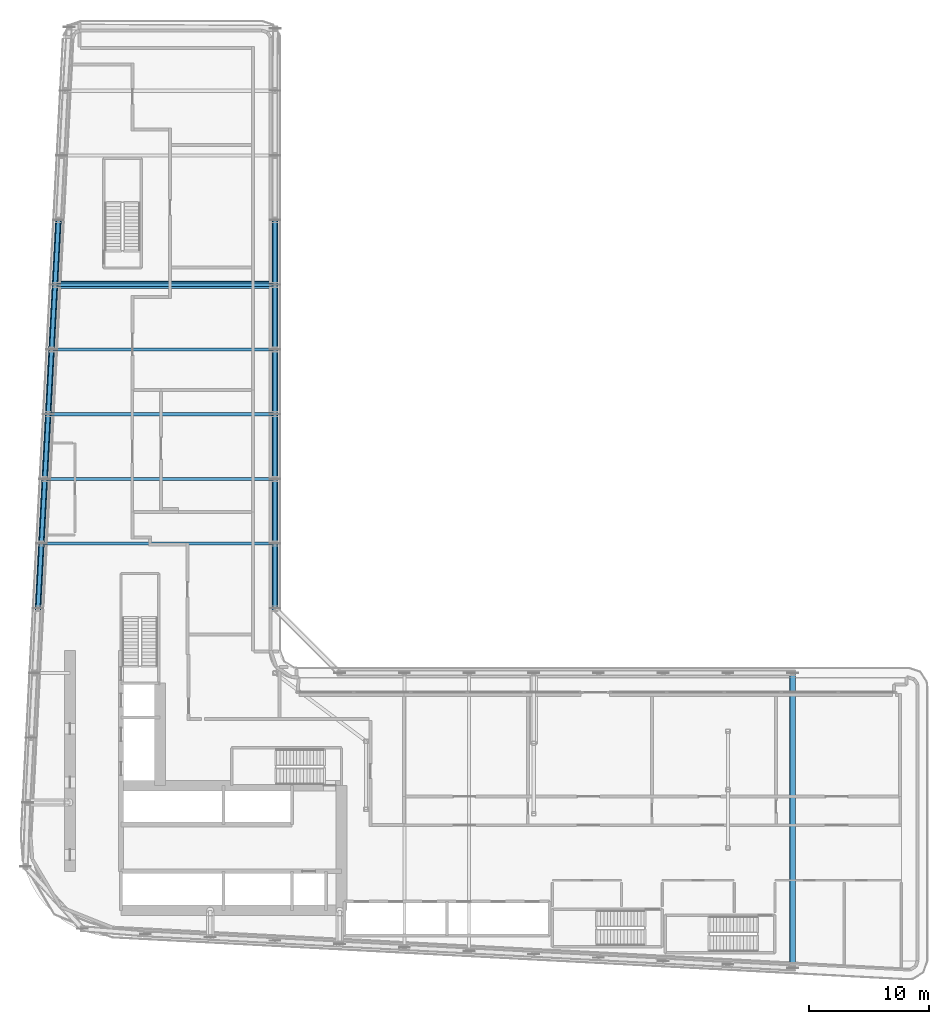
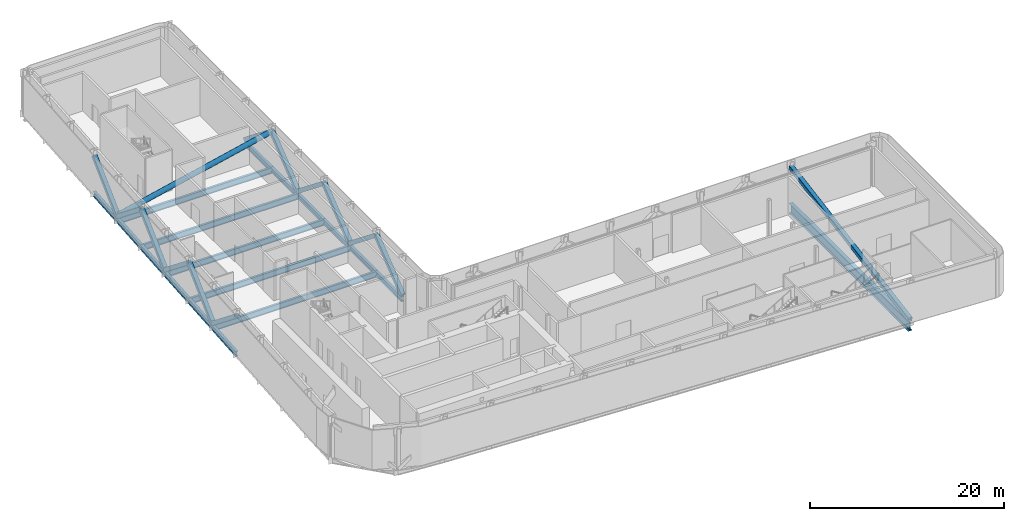
# One storey, part 9 of 30: 18 beams, 14 members.
"""IFC4 building model written with IfcOpenShell, lengths in metres."""

from ifc_helpers import new_model, si_unit, direction, frame, origin, origin_2d, place, context, subcontext, project, spatial, hollow_rectangle, hollow_circle, i_section, extrude, material, material_profile, profile_set, type_object, element, save


model = new_model("IFC4")

# Units and contexts
model_context = context("Model", 3, precision=1e-05, world=origin(), true_north=direction((0.0, 1.0)))
body_context = subcontext(model_context, "Body", "Model", "MODEL_VIEW")
ifc_project = project(units=[si_unit("LENGTHUNIT", "METRE"), si_unit("AREAUNIT", "SQUARE_METRE"), si_unit("VOLUMEUNIT", "CUBIC_METRE"), si_unit("PLANEANGLEUNIT", "RADIAN"), si_unit("MASSUNIT", "GRAM", prefix="KILO")], contexts=[model_context])

# Site, building, storey
site_placement = place(None, origin())
site = spatial("IfcSite", under=ifc_project, at=site_placement, CompositionType="ELEMENT")
building_placement = place(site_placement, origin())
building = spatial("IfcBuilding", under=site, at=building_placement, Name="Kheshtan School and Residences Tower", CompositionType="ELEMENT")
storey_placement = place(building_placement, frame((0.0, 0.0, 89.0)))
storey = spatial("IfcBuildingStorey", under=building, at=storey_placement, Name="L20", CompositionType="ELEMENT", Elevation=89.0)

# Beams
ifc_material_1 = material(Name="Steel ASTM A992 Grade 50", Category="steel")
ifc_material_profile_1 = material_profile(ifc_material_1, i_section(OverallWidth=0.264892578125, OverallDepth=0.7529296875, WebThickness=0.01318359375, FlangeThickness=0.01708984375, FilletRadius=0.015380859375, at=origin_2d()), Name="W760x147")
ifc_profile_set_1 = profile_set([ifc_material_profile_1], Name="Steel ASTM A992 Grade 50")
beam_type_1 = type_object("IfcBeamType", Name="Beam FB7 W760x147 ASTM A992 Grade 50", PredefinedType="BEAM", material=ifc_profile_set_1)
beam_1_placement = place(storey_placement, frame((47.60009765625, 72.60009765625, -0.526611328125), z_axis=(-1.0, 0.0, 0.0), x_axis=(0.0, -1.0, 0.0)))
element("IfcBeam", 1, at=beam_1_placement, inside=storey, type_object=beam_type_1, Name="Floor beam C087", PredefinedType="BEAM", context=body_context, shape_type="SweptSolid", body=[
    extrude(i_section(OverallWidth=0.264892578125, OverallDepth=0.7529296875, WebThickness=0.01318359375, FlangeThickness=0.01708984375, FilletRadius=0.015380859375, at=origin_2d()), origin(), (0.0, 0.0, 1.0), 18.64208984375),
])
beam_2_placement = place(storey_placement, frame((47.60009765625, 61.800048828125, -0.526611328125), z_axis=(-1.0, 0.0, 0.0), x_axis=(0.0, -1.0, 0.0)))
element("IfcBeam", 2, at=beam_2_placement, inside=storey, type_object=beam_type_1, Name="Floor beam C083", PredefinedType="BEAM", context=body_context, shape_type="SweptSolid", body=[
    extrude(i_section(OverallWidth=0.264892578125, OverallDepth=0.7529296875, WebThickness=0.01318359375, FlangeThickness=0.01708984375, FilletRadius=0.015380859375, at=origin_2d()), origin(), (0.0, 0.0, 1.0), 19.210205078125),
])
beam_3_placement = place(storey_placement, frame((28.10595703125, 56.39990234375, -0.526611328125), z_axis=(1.0, 0.0, 0.0), x_axis=(0.0, 1.0, 0.0)))
element("IfcBeam", 3, at=beam_3_placement, inside=storey, type_object=beam_type_1, Name="Floor beam C080", PredefinedType="BEAM", context=body_context, shape_type="SweptSolid", body=[
    extrude(i_section(OverallWidth=0.264892578125, OverallDepth=0.7529296875, WebThickness=0.01318359375, FlangeThickness=0.01708984375, FilletRadius=0.015380859375, at=origin_2d()), origin(), (0.0, 0.0, 1.0), 19.494140625),
])
beam_4_placement = place(storey_placement, frame((28.674072265625, 67.199951171875, -0.526611328125), z_axis=(1.0, 0.0, 0.0), x_axis=(0.0, 1.0, 0.0)))
element("IfcBeam", 4, at=beam_4_placement, inside=storey, type_object=beam_type_1, Name="Floor beam C084", PredefinedType="BEAM", context=body_context, shape_type="SweptSolid", body=[
    extrude(i_section(OverallWidth=0.264892578125, OverallDepth=0.7529296875, WebThickness=0.01318359375, FlangeThickness=0.01708984375, FilletRadius=0.015380859375, at=origin_2d()), origin(), (0.0, 0.0, 1.0), 18.926025390625),
])
beam_5_placement = place(storey_placement, frame((29.242919921875, 78.0, -0.526611328125), z_axis=(1.0, 0.0, 0.0), x_axis=(0.0, 1.0, 0.0)))
element("IfcBeam", 5, at=beam_5_placement, inside=storey, type_object=beam_type_1, Name="Floor beam C088", PredefinedType="BEAM", context=body_context, shape_type="SweptSolid", body=[
    extrude(i_section(OverallWidth=0.264892578125, OverallDepth=0.7529296875, WebThickness=0.01318359375, FlangeThickness=0.01708984375, FilletRadius=0.015380859375, at=origin_2d()), origin(), (0.0, 0.0, 1.0), 18.357177734375),
])
ifc_material_profile_2 = material_profile(ifc_material_1, i_section(OverallWidth=0.324951171875, OverallDepth=0.615966796875, WebThickness=0.013916015625, FlangeThickness=0.021484375, FilletRadius=0.0185546875, at=origin_2d()), Name="W610x174")
ifc_profile_set_2 = profile_set([ifc_material_profile_2], Name="Steel ASTM A992 Grade 50")
beam_type_2 = type_object("IfcBeamType", Name="Beam SP5 W610x174 ASTM A992 Grade 50", PredefinedType="BEAM", material=ifc_profile_set_2)
for number, where, z_axis, x_axis, name in (
    (6, (47.60009765625, 83.39990234375, -0.4580078125), (0.0, -1.0, 0.0), (1.0, 0.0, 0.0), "Spandrel beam C091-C089"),
    (7, (47.60009765625, 78.0, -0.4580078125), (0.0, -1.0, 0.0), (1.0, 0.0, 0.0), "Spandrel beam C089-C087"),
):
    element("IfcBeam", number, at=place(storey_placement, frame(where, z_axis=z_axis, x_axis=x_axis)), inside=storey, type_object=beam_type_2, Name=name, PredefinedType="BEAM", context=body_context, shape_type="SweptSolid", body=[
        extrude(i_section(OverallWidth=0.324951171875, OverallDepth=0.615966796875, WebThickness=0.013916015625, FlangeThickness=0.021484375, FilletRadius=0.0185546875, at=origin_2d()), origin(), (0.0, 0.0, 1.0), 5.39990234375),
    ])
beam_6_placement = place(storey_placement, frame((47.60009765625, 72.60009765625, -0.4580078125), z_axis=(0.0, -1.0, 0.0), x_axis=(1.0, 0.0, 0.0)))
element("IfcBeam", 8, at=beam_6_placement, inside=storey, type_object=beam_type_2, Name="Spandrel beam C087-C085", PredefinedType="BEAM", context=body_context, shape_type="SweptSolid", body=[
    extrude(i_section(OverallWidth=0.324951171875, OverallDepth=0.615966796875, WebThickness=0.013916015625, FlangeThickness=0.021484375, FilletRadius=0.0185546875, at=origin_2d()), origin(), (0.0, 0.0, 1.0), 5.400146484375),
])
beam_7_placement = place(storey_placement, frame((47.60009765625, 67.199951171875, -0.4580078125), z_axis=(0.0, -1.0, 0.0), x_axis=(1.0, 0.0, 0.0)))
element("IfcBeam", 9, at=beam_7_placement, inside=storey, type_object=beam_type_2, Name="Spandrel beam C085-C083", PredefinedType="BEAM", context=body_context, shape_type="SweptSolid", body=[
    extrude(i_section(OverallWidth=0.324951171875, OverallDepth=0.615966796875, WebThickness=0.013916015625, FlangeThickness=0.021484375, FilletRadius=0.0185546875, at=origin_2d()), origin(), (0.0, 0.0, 1.0), 5.39990234375),
])
beam_8_placement = place(storey_placement, frame((47.60009765625, 61.800048828125, -0.4580078125), z_axis=(0.0, -1.0, 0.0), x_axis=(1.0, 0.0, 0.0)))
element("IfcBeam", 10, at=beam_8_placement, inside=storey, type_object=beam_type_2, Name="Spandrel beam C083-C081", PredefinedType="BEAM", context=body_context, shape_type="SweptSolid", body=[
    extrude(i_section(OverallWidth=0.324951171875, OverallDepth=0.615966796875, WebThickness=0.013916015625, FlangeThickness=0.021484375, FilletRadius=0.0185546875, at=origin_2d()), origin(), (0.0, 0.0, 1.0), 5.400146484375),
])
beam_9_placement = place(storey_placement, frame((47.60009765625, 56.39990234375, -0.4580078125), z_axis=(0.0, -1.0, 0.0), x_axis=(1.0, 0.0, 0.0)))
element("IfcBeam", 11, at=beam_9_placement, inside=storey, type_object=beam_type_2, Name="Spandrel beam C081-C079", PredefinedType="BEAM", context=body_context, shape_type="SweptSolid", body=[
    extrude(i_section(OverallWidth=0.324951171875, OverallDepth=0.615966796875, WebThickness=0.013916015625, FlangeThickness=0.021484375, FilletRadius=0.0185546875, at=origin_2d()), origin(), (0.0, 0.0, 1.0), 5.39990234375),
])
beam_10_placement = place(storey_placement, frame((27.822021484375, 51.0, -0.4580078125), z_axis=(0.05250906864, 0.998620447272, 0.0), x_axis=(-0.998620447272, 0.05250906864, 0.0)))
element("IfcBeam", 12, at=beam_10_placement, inside=storey, type_object=beam_type_2, Name="Spandrel beam C078-C080", PredefinedType="BEAM", context=body_context, shape_type="SweptSolid", body=[
    extrude(i_section(OverallWidth=0.324951171875, OverallDepth=0.615966796875, WebThickness=0.013916015625, FlangeThickness=0.021484375, FilletRadius=0.0185546875, at=origin_2d()), origin(), (0.0, 0.0, 1.0), 5.407470703125),
])
beam_11_placement = place(storey_placement, frame((28.10595703125, 56.39990234375, -0.4580078125), z_axis=(0.05250670125, 0.998620571751, 0.0), x_axis=(-0.998620571751, 0.05250670125, 0.0)))
element("IfcBeam", 13, at=beam_11_placement, inside=storey, type_object=beam_type_2, Name="Spandrel beam C080-C082", PredefinedType="BEAM", context=body_context, shape_type="SweptSolid", body=[
    extrude(i_section(OverallWidth=0.324951171875, OverallDepth=0.615966796875, WebThickness=0.013916015625, FlangeThickness=0.021484375, FilletRadius=0.0185546875, at=origin_2d()), origin(), (0.0, 0.0, 1.0), 5.40771484375),
])
beam_12_placement = place(storey_placement, frame((28.389892578125, 61.800048828125, -0.4580078125), z_axis=(0.052554093665, 0.998618078766, 0.0), x_axis=(-0.998618078766, 0.052554093665, 0.0)))
element("IfcBeam", 14, at=beam_12_placement, inside=storey, type_object=beam_type_2, Name="Spandrel beam C082-C084", PredefinedType="BEAM", context=body_context, shape_type="SweptSolid", body=[
    extrude(i_section(OverallWidth=0.324951171875, OverallDepth=0.615966796875, WebThickness=0.013916015625, FlangeThickness=0.021484375, FilletRadius=0.0185546875, at=origin_2d()), origin(), (0.0, 0.0, 1.0), 5.407470703125),
])
beam_13_placement = place(storey_placement, frame((28.674072265625, 67.199951171875, -0.4580078125), z_axis=(0.05250670125, 0.998620571751, 0.0), x_axis=(-0.998620571751, 0.05250670125, 0.0)))
element("IfcBeam", 15, at=beam_13_placement, inside=storey, type_object=beam_type_2, Name="Spandrel beam C084-C086", PredefinedType="BEAM", context=body_context, shape_type="SweptSolid", body=[
    extrude(i_section(OverallWidth=0.324951171875, OverallDepth=0.615966796875, WebThickness=0.013916015625, FlangeThickness=0.021484375, FilletRadius=0.0185546875, at=origin_2d()), origin(), (0.0, 0.0, 1.0), 5.40771484375),
])
for number, where, z_axis, x_axis, name in (
    (16, (28.9580078125, 72.60009765625, -0.4580078125), (0.052689166816, 0.998610961136, 0.0), (-0.998610961136, 0.052689166816, 0.0), "Spandrel beam C086-C088"),
    (17, (29.242919921875, 78.0, -0.4580078125), (0.052554093665, 0.998618078766, 0.0), (-0.998618078766, 0.052554093665, 0.0), "Spandrel beam C088-C090"),
):
    element("IfcBeam", number, at=place(storey_placement, frame(where, z_axis=z_axis, x_axis=x_axis)), inside=storey, type_object=beam_type_2, Name=name, PredefinedType="BEAM", context=body_context, shape_type="SweptSolid", body=[
        extrude(i_section(OverallWidth=0.324951171875, OverallDepth=0.615966796875, WebThickness=0.013916015625, FlangeThickness=0.021484375, FilletRadius=0.0185546875, at=origin_2d()), origin(), (0.0, 0.0, 1.0), 5.407470703125),
    ])

# Members
ifc_material_2 = material(Name="Steel ASTM A500 Grade C", Category="steel")
ifc_material_profile_3 = material_profile(ifc_material_2, hollow_rectangle(XDim=0.508056640625, YDim=0.508056640625, WallThickness=0.01904296875, InnerFilletRadius=0.01904296875, OuterFilletRadius=0.0380859375, at=origin_2d()), Name="HSS 508x508x19")
ifc_profile_set_3 = profile_set([ifc_material_profile_3], Name="Steel ASTM A500 Grade C")
member_type_1 = type_object("IfcMemberType", Name="Member BT2 HSS 508x508x19 ASTM A500 Grade C", PredefinedType="BRACE", material=ifc_profile_set_3)
for number, where, z_axis, x_axis, name in (
    (18, (47.60009765625, 83.39990234375, 0.050048828125), (0.0, -0.782495277586, 0.622656518922), (1.0, 0.0, 0.0), "Belt truss diagonal C091-C089"),
    (19, (47.60009765625, 72.60009765625, 0.050048828125), (0.0, 0.782495277586, 0.622656518922), (-1.0, 0.0, 0.0), "Belt truss diagonal C089-C087"),
):
    element("IfcMember", number, at=place(storey_placement, frame(where, z_axis=z_axis, x_axis=x_axis)), inside=storey, type_object=member_type_1, Name=name, PredefinedType="BRACE", context=body_context, shape_type="SweptSolid", body=[
        extrude(hollow_rectangle(XDim=0.508056640625, YDim=0.508056640625, WallThickness=0.01904296875, InnerFilletRadius=0.01904296875, OuterFilletRadius=0.0380859375, at=origin_2d()), origin(), (0.0, 0.0, 1.0), 6.90087890625),
    ])
member_1_placement = place(storey_placement, frame((47.60009765625, 72.60009765625, 0.050048828125), z_axis=(0.0, -0.782508993189, 0.622639282071), x_axis=(1.0, 0.0, 0.0)))
element("IfcMember", 20, at=member_1_placement, inside=storey, type_object=member_type_1, Name="Belt truss diagonal C087-C085", PredefinedType="BRACE", context=body_context, shape_type="SweptSolid", body=[
    extrude(hollow_rectangle(XDim=0.508056640625, YDim=0.508056640625, WallThickness=0.01904296875, InnerFilletRadius=0.01904296875, OuterFilletRadius=0.0380859375, at=origin_2d()), origin(), (0.0, 0.0, 1.0), 6.901123046875),
])
member_2_placement = place(storey_placement, frame((47.60009765625, 61.800048828125, 0.050048828125), z_axis=(0.0, 0.782495277586, 0.622656518922), x_axis=(-1.0, 0.0, 0.0)))
element("IfcMember", 21, at=member_2_placement, inside=storey, type_object=member_type_1, Name="Belt truss diagonal C085-C083", PredefinedType="BRACE", context=body_context, shape_type="SweptSolid", body=[
    extrude(hollow_rectangle(XDim=0.508056640625, YDim=0.508056640625, WallThickness=0.01904296875, InnerFilletRadius=0.01904296875, OuterFilletRadius=0.0380859375, at=origin_2d()), origin(), (0.0, 0.0, 1.0), 6.90087890625),
])
member_3_placement = place(storey_placement, frame((47.60009765625, 61.800048828125, 0.050048828125), z_axis=(0.0, -0.782508993189, 0.622639282071), x_axis=(1.0, 0.0, 0.0)))
element("IfcMember", 22, at=member_3_placement, inside=storey, type_object=member_type_1, Name="Belt truss diagonal C083-C081", PredefinedType="BRACE", context=body_context, shape_type="SweptSolid", body=[
    extrude(hollow_rectangle(XDim=0.508056640625, YDim=0.508056640625, WallThickness=0.01904296875, InnerFilletRadius=0.01904296875, OuterFilletRadius=0.0380859375, at=origin_2d()), origin(), (0.0, 0.0, 1.0), 6.901123046875),
])
member_4_placement = place(storey_placement, frame((47.60009765625, 51.0, 0.050048828125), z_axis=(0.0, 0.782495277586, 0.622656518922), x_axis=(-1.0, 0.0, 0.0)))
element("IfcMember", 23, at=member_4_placement, inside=storey, type_object=member_type_1, Name="Belt truss diagonal C081-C079", PredefinedType="BRACE", context=body_context, shape_type="SweptSolid", body=[
    extrude(hollow_rectangle(XDim=0.508056640625, YDim=0.508056640625, WallThickness=0.01904296875, InnerFilletRadius=0.01904296875, OuterFilletRadius=0.0380859375, at=origin_2d()), origin(), (0.0, 0.0, 1.0), 6.90087890625),
])
member_5_placement = place(storey_placement, frame((90.800048828125, 20.989990234375, 0.050048828125), z_axis=(0.0, 0.985097638168, 0.171996055988), x_axis=(-1.0, 0.0, 0.0)))
element("IfcMember", 24, at=member_5_placement, inside=storey, type_object=member_type_1, Name="Belt truss diagonal C068-C006", PredefinedType="BRACE", context=body_context, shape_type="SweptSolid", body=[
    extrude(hollow_rectangle(XDim=0.508056640625, YDim=0.508056640625, WallThickness=0.01904296875, InnerFilletRadius=0.01904296875, OuterFilletRadius=0.0380859375, at=origin_2d()), origin(), (0.0, 0.0, 1.0), 24.982421875),
])
member_6_placement = place(storey_placement, frame((28.10595703125, 56.39990234375, 0.050048828125), z_axis=(-0.041110076845, -0.781833774436, 0.622130139708), x_axis=(0.998620447272, -0.05250906864, 0.0)))
element("IfcMember", 25, at=member_6_placement, inside=storey, type_object=member_type_1, Name="Belt truss diagonal C078-C080", PredefinedType="BRACE", context=body_context, shape_type="SweptSolid", body=[
    extrude(hollow_rectangle(XDim=0.508056640625, YDim=0.508056640625, WallThickness=0.01904296875, InnerFilletRadius=0.01904296875, OuterFilletRadius=0.0380859375, at=origin_2d()), origin(), (0.0, 0.0, 1.0), 6.90673828125),
])
member_7_placement = place(storey_placement, frame((28.10595703125, 56.39990234375, 0.050048828125), z_axis=(0.041108940728, 0.781847515022, 0.622112946534), x_axis=(-0.998620571751, 0.05250670125, 0.0)))
element("IfcMember", 26, at=member_7_placement, inside=storey, type_object=member_type_1, Name="Belt truss diagonal C080-C082", PredefinedType="BRACE", context=body_context, shape_type="SweptSolid", body=[
    extrude(hollow_rectangle(XDim=0.508056640625, YDim=0.508056640625, WallThickness=0.01904296875, InnerFilletRadius=0.01904296875, OuterFilletRadius=0.0380859375, at=origin_2d()), origin(), (0.0, 0.0, 1.0), 6.906982421875),
])
member_8_placement = place(storey_placement, frame((28.674072265625, 67.199951171875, 0.050048828125), z_axis=(-0.041145365332, -0.781832637811, 0.62212923526), x_axis=(0.998618078766, -0.052554093665, 0.0)))
element("IfcMember", 27, at=member_8_placement, inside=storey, type_object=member_type_1, Name="Belt truss diagonal C082-C084", PredefinedType="BRACE", context=body_context, shape_type="SweptSolid", body=[
    extrude(hollow_rectangle(XDim=0.508056640625, YDim=0.508056640625, WallThickness=0.01904296875, InnerFilletRadius=0.01904296875, OuterFilletRadius=0.0380859375, at=origin_2d()), origin(), (0.0, 0.0, 1.0), 6.90673828125),
])
member_9_placement = place(storey_placement, frame((28.674072265625, 67.199951171875, 0.050048828125), z_axis=(0.041108940728, 0.781847515022, 0.622112946534), x_axis=(-0.998620571751, 0.05250670125, 0.0)))
element("IfcMember", 28, at=member_9_placement, inside=storey, type_object=member_type_1, Name="Belt truss diagonal C084-C086", PredefinedType="BRACE", context=body_context, shape_type="SweptSolid", body=[
    extrude(hollow_rectangle(XDim=0.508056640625, YDim=0.508056640625, WallThickness=0.01904296875, InnerFilletRadius=0.01904296875, OuterFilletRadius=0.0380859375, at=origin_2d()), origin(), (0.0, 0.0, 1.0), 6.906982421875),
])
for number, where, z_axis, x_axis, name in (
    (29, (29.242919921875, 78.0, 0.050048828125), (-0.041251229867, -0.781829222106, 0.622126517274), (0.998610961136, -0.052689166816, 0.0), "Belt truss diagonal C086-C088"),
    (30, (29.242919921875, 78.0, 0.050048828125), (0.041145365332, 0.781832637811, 0.62212923526), (-0.998618078766, 0.052554093665, 0.0), "Belt truss diagonal C088-C090"),
):
    element("IfcMember", number, at=place(storey_placement, frame(where, z_axis=z_axis, x_axis=x_axis)), inside=storey, type_object=member_type_1, Name=name, PredefinedType="BRACE", context=body_context, shape_type="SweptSolid", body=[
        extrude(hollow_rectangle(XDim=0.508056640625, YDim=0.508056640625, WallThickness=0.01904296875, InnerFilletRadius=0.01904296875, OuterFilletRadius=0.0380859375, at=origin_2d()), origin(), (0.0, 0.0, 1.0), 6.90673828125),
    ])
ifc_material_profile_4 = material_profile(ifc_material_2, hollow_circle(Radius=0.3046875, WallThickness=0.01904296875, at=origin_2d()), Name="HSS 610x19")
ifc_profile_set_4 = profile_set([ifc_material_profile_4], Name="Steel ASTM A500 Grade C")
member_type_2 = type_object("IfcMemberType", Name="Member OR1 HSS 610x19 ASTM A500 Grade C", PredefinedType="BRACE", material=ifc_profile_set_4)
member_10_placement = place(storey_placement, frame((29.242919921875, 78.0, 0.199951171875), z_axis=(0.97542040867, 0.0, 0.220352050933), x_axis=(0.0, 1.0, 0.0)))
element("IfcMember", 31, at=member_10_placement, inside=storey, type_object=member_type_2, Name="Outrigger arm 4", PredefinedType="BRACE", context=body_context, shape_type="SweptSolid", body=[
    extrude(hollow_circle(Radius=0.3046875, WallThickness=0.01904296875, at=origin_2d()), origin(), (0.0, 0.0, 1.0), 18.81982421875),
])

# Beam
ifc_material_profile_5 = material_profile(ifc_material_1, i_section(OverallWidth=0.449951171875, OverallDepth=1.25, WebThickness=0.02490234375, FlangeThickness=0.044921875, FilletRadius=0.03759765625, at=origin_2d()), Name="WWF1250x546")
ifc_profile_set_5 = profile_set([ifc_material_profile_5], Name="Steel ASTM A992 Grade 50")
beam_type_3 = type_object("IfcBeamType", Name="Transfer girder TG4 WWF1250x546 ASTM A992 Grade 50", PredefinedType="BEAM", material=ifc_profile_set_5)
beam_14_placement = place(storey_placement, frame((90.800048828125, 45.60009765625, -0.77490234375), z_axis=(0.0, -1.0, 0.0), x_axis=(1.0, 0.0, 0.0)))
element("IfcBeam", 32, at=beam_14_placement, inside=storey, type_object=beam_type_3, Name="Transfer girder C068-C006", PredefinedType="BEAM", context=body_context, shape_type="SweptSolid", body=[
    extrude(i_section(OverallWidth=0.449951171875, OverallDepth=1.25, WebThickness=0.02490234375, FlangeThickness=0.044921875, FilletRadius=0.03759765625, at=origin_2d()), origin(), (0.0, 0.0, 1.0), 24.610107421875),
])

save(model, "model.ifc")
